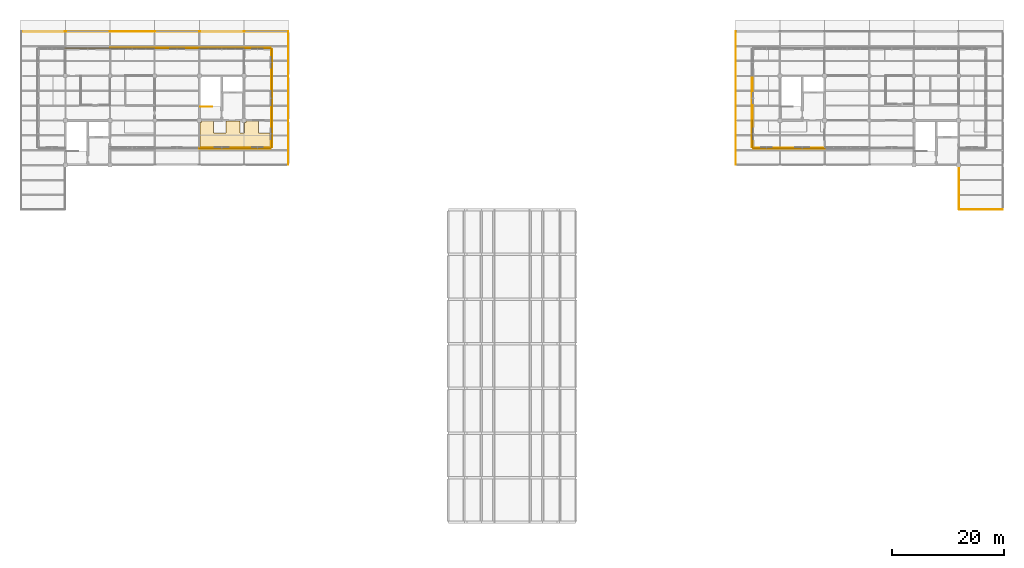
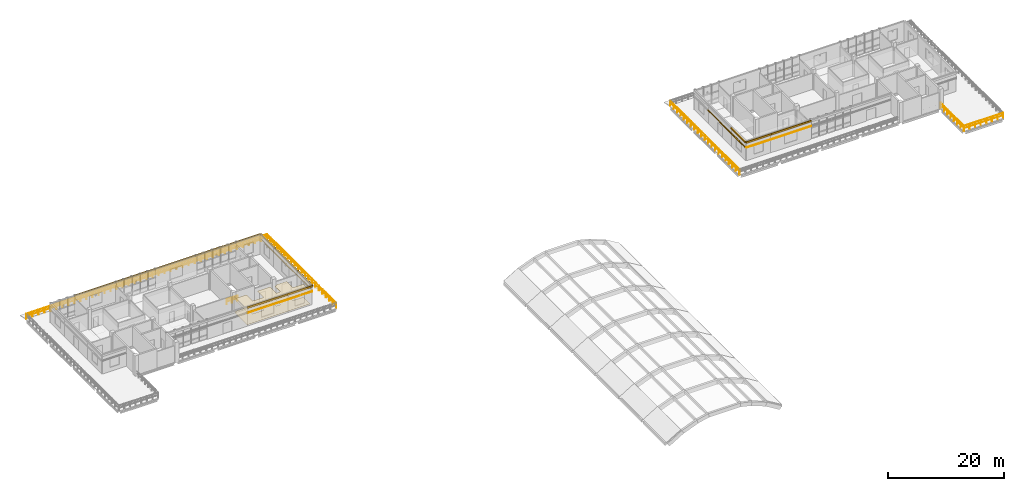
# One storey, part 22 of 24: 15 coverings, 13 shading devices, 6 railings.
"""IFC4 building model written with IfcOpenShell, lengths in metres."""

from ifc_helpers import new_model, si_unit, derived_unit, direction, frame, origin, origin_2d, place, context, subcontext, project, spatial, polyline, rectangle, circle, outline, extrude, material, layer, layer_set, material_profile, profile_set, type_object, element, save


model = new_model("IFC4")

# Units and contexts
model_context = context("Model", 3, precision=1e-05, world=origin(), true_north=direction((0.0, 1.0)))
body_context = subcontext(model_context, "Body", "Model", "MODEL_VIEW")
ifc_project = project(units=[si_unit("LENGTHUNIT", "METRE"), si_unit("AREAUNIT", "SQUARE_METRE"), si_unit("VOLUMEUNIT", "CUBIC_METRE"), si_unit("PLANEANGLEUNIT", "RADIAN"), si_unit("MASSUNIT", "GRAM", prefix="KILO"), derived_unit("THERMALTRANSMITTANCEUNIT", [(si_unit("MASSUNIT", "GRAM", prefix="KILO"), 1), (si_unit("TIMEUNIT", "SECOND"), -3), (si_unit("THERMODYNAMICTEMPERATUREUNIT", "KELVIN"), -1)])], contexts=[model_context])

# Site, building, storey
site_placement = place(None, origin())
site = spatial("IfcSite", under=ifc_project, at=site_placement, CompositionType="ELEMENT")
building_placement = place(site_placement, origin())
building = spatial("IfcBuilding", under=site, at=building_placement, Name="Veyamyaing Civic Hall", CompositionType="ELEMENT")
storey_placement = place(building_placement, frame((0.0, 0.0, 25.739990234375)))
storey = spatial("IfcBuildingStorey", under=building, at=storey_placement, Name="L06", CompositionType="ELEMENT", Elevation=25.739990234375)

# Coverings
ifc_material_1 = material(Name="White powder-coated aluminium 6063-T6", Category="aluminium")
ifc_layer_1 = layer(ifc_material_1, 0.2099609375, Name="White powder-coated aluminium 6063-T6")
ifc_layer_set_1 = layer_set([ifc_layer_1], Name="White powder-coated aluminium 6063-T6")
covering_type_1 = type_object("IfcCoveringType", Name="CL-03", PredefinedType="CLADDING", material=ifc_layer_set_1)
covering_1_placement = place(storey_placement, frame((36.0, 91.0400390625, 3.73974609375), z_axis=(0.0, 0.0, 1.0), x_axis=(1.0, 0.0, 0.0)))
element("IfcCovering", 1, at=covering_1_placement, inside=storey, type_object=covering_type_1, Name="Executive fascia white ribbon CL-03 L06-NW-S-4", PredefinedType="CLADDING", context=body_context, shape_type="SweptSolid", body=[
    extrude(rectangle(XDim=8.179931640625, YDim=0.2099609375, at=origin_2d()), origin(), (0.0, 0.0, 1.0), 0.340087890625),
])
covering_2_placement = place(storey_placement, frame((42.39990234375, 91.0400390625, 3.73974609375), z_axis=(0.0, 0.0, 1.0), x_axis=(1.0, 0.0, 0.0)))
element("IfcCovering", 2, at=covering_2_placement, inside=storey, type_object=covering_type_1, Name="Executive fascia white ribbon CL-03 L06-NW-S-5", PredefinedType="CLADDING", context=body_context, shape_type="SweptSolid", body=[
    extrude(rectangle(XDim=4.97998046875, YDim=0.2099609375, at=origin_2d()), origin(), (0.0, 0.0, 1.0), 0.340087890625),
])
for number, where, z_axis, x_axis, name in (
    (3, (12.0, 108.9599609375, 3.73974609375), (0.0, 0.0, 1.0), (1.0, 0.0, 0.0), "Executive fascia white ribbon CL-03 L06-NW-N-1"),
    (4, (20.0, 108.9599609375, 3.73974609375), (0.0, 0.0, 1.0), (1.0, 0.0, 0.0), "Executive fascia white ribbon CL-03 L06-NW-N-2"),
    (5, (28.0, 108.9599609375, 3.73974609375), (0.0, 0.0, 1.0), (1.0, 0.0, 0.0), "Executive fascia white ribbon CL-03 L06-NW-N-3"),
    (6, (36.0, 108.9599609375, 3.73974609375), (0.0, 0.0, 1.0), (1.0, 0.0, 0.0), "Executive fascia white ribbon CL-03 L06-NW-N-4"),
):
    element("IfcCovering", number, at=place(storey_placement, frame(where, z_axis=z_axis, x_axis=x_axis)), inside=storey, type_object=covering_type_1, Name=name, PredefinedType="CLADDING", context=body_context, shape_type="SweptSolid", body=[
        extrude(rectangle(XDim=8.179931640625, YDim=0.2099609375, at=origin_2d()), origin(), (0.0, 0.0, 1.0), 0.340087890625),
    ])
for number, where, z_axis, x_axis, name in (
    (7, (42.39990234375, 108.9599609375, 3.73974609375), (0.0, 0.0, 1.0), (1.0, 0.0, 0.0), "Executive fascia white ribbon CL-03 L06-NW-N-5"),
    (8, (44.9599609375, 93.60009765625, 3.73974609375), (0.0, 0.0, 1.0), (0.0, 1.0, 0.0), "Executive fascia white ribbon CL-03 L06-NW-E-0"),
):
    element("IfcCovering", number, at=place(storey_placement, frame(where, z_axis=z_axis, x_axis=x_axis)), inside=storey, type_object=covering_type_1, Name=name, PredefinedType="CLADDING", context=body_context, shape_type="SweptSolid", body=[
        extrude(rectangle(XDim=4.97998046875, YDim=0.2099609375, at=origin_2d()), origin(), (0.0, 0.0, 1.0), 0.340087890625),
    ])
covering_3_placement = place(storey_placement, frame((44.9599609375, 100.0, 3.73974609375), z_axis=(0.0, 0.0, 1.0), x_axis=(0.0, 1.0, 0.0)))
element("IfcCovering", 9, at=covering_3_placement, inside=storey, type_object=covering_type_1, Name="Executive fascia white ribbon CL-03 L06-NW-E-1", PredefinedType="CLADDING", context=body_context, shape_type="SweptSolid", body=[
    extrude(rectangle(XDim=8.179931640625, YDim=0.2099609375, at=origin_2d()), origin(), (0.0, 0.0, 1.0), 0.340087890625),
])
for number, where, z_axis, x_axis, name in (
    (10, (44.9599609375, 106.39990234375, 3.73974609375), (0.0, 0.0, 1.0), (0.0, 1.0, 0.0), "Executive fascia white ribbon CL-03 L06-NW-E-2"),
    (11, (133.60009765625, 91.0400390625, 3.73974609375), (0.0, 0.0, 1.0), (1.0, 0.0, 0.0), "Executive fascia white ribbon CL-03 L06-NE-S-0"),
):
    element("IfcCovering", number, at=place(storey_placement, frame(where, z_axis=z_axis, x_axis=x_axis)), inside=storey, type_object=covering_type_1, Name=name, PredefinedType="CLADDING", context=body_context, shape_type="SweptSolid", body=[
        extrude(rectangle(XDim=4.97998046875, YDim=0.2099609375, at=origin_2d()), origin(), (0.0, 0.0, 1.0), 0.340087890625),
    ])
covering_4_placement = place(storey_placement, frame((140.0, 91.0400390625, 3.73974609375), z_axis=(0.0, 0.0, 1.0), x_axis=(1.0, 0.0, 0.0)))
element("IfcCovering", 12, at=covering_4_placement, inside=storey, type_object=covering_type_1, Name="Executive fascia white ribbon CL-03 L06-NE-S-1", PredefinedType="CLADDING", context=body_context, shape_type="SweptSolid", body=[
    extrude(rectangle(XDim=8.179931640625, YDim=0.2099609375, at=origin_2d()), origin(), (0.0, 0.0, 1.0), 0.340087890625),
])
covering_5_placement = place(storey_placement, frame((131.0400390625, 93.60009765625, 3.73974609375), z_axis=(0.0, 0.0, 1.0), x_axis=(0.0, 1.0, 0.0)))
element("IfcCovering", 13, at=covering_5_placement, inside=storey, type_object=covering_type_1, Name="Executive fascia white ribbon CL-03 L06-NE-W-0", PredefinedType="CLADDING", context=body_context, shape_type="SweptSolid", body=[
    extrude(rectangle(XDim=4.97998046875, YDim=0.2099609375, at=origin_2d()), origin(), (0.0, 0.0, 1.0), 0.340087890625),
])
ifc_material_2 = material(Name="Perforated acoustic gypsum ceiling board")
ifc_layer_2 = layer(ifc_material_2, 0.02490234375, Name="Perforated acoustic gypsum ceiling board")
ifc_layer_set_2 = layer_set([ifc_layer_2], Name="Perforated acoustic gypsum ceiling board")
covering_type_2 = type_object("IfcCoveringType", Name="CLG-01", PredefinedType="CEILING", material=ifc_layer_set_2)
covering_6_placement = place(storey_placement, frame((0.0, 0.0, 2.699951171875)))
element("IfcCovering", 14, at=covering_6_placement, inside=storey, type_object=covering_type_2, Name="Acoustic suspended ceiling CLG-01 L06-C02", PredefinedType="CEILING", context=body_context, shape_type="SweptSolid", body=[
    extrude(outline(polyline([(34.574951171875, 95.925048828125), (34.574951171875, 93.8525390625), (34.581298828125, 93.821533203125), (34.597412109375, 93.79736328125), (34.62158203125, 93.78125), (34.652587890625, 93.77490234375), (36.697509765625, 93.77490234375), (36.728515625, 93.78125), (36.752685546875, 93.79736328125), (36.768798828125, 93.821533203125), (36.77490234375, 93.8525390625), (36.77490234375, 95.925048828125), (39.27490234375, 95.925048828125), (39.27490234375, 93.8525390625), (39.28125, 93.821533203125), (39.29736328125, 93.79736328125), (39.321533203125, 93.78125), (39.352294921875, 93.77490234375), (40.006591796875, 93.775390625), (40.029296875, 93.781005859375), (40.041015625, 93.78759765625), (40.057861328125, 93.802490234375), (40.068603515625, 93.82080078125), (40.074951171875, 93.8525390625), (40.074951171875, 95.6650390625), (40.3349609375, 95.6650390625), (40.3349609375, 95.925048828125), (42.574951171875, 95.925048828125), (42.574951171875, 93.8525390625), (42.581298828125, 93.821533203125), (42.597412109375, 93.79736328125), (42.62158203125, 93.78125), (42.652587890625, 93.77490234375), (44.64501953125, 93.77490234375), (44.64501953125, 91.35498046875), (32.074951171875, 91.35498046875), (32.074951171875, 95.6650390625), (32.3349609375, 95.6650390625), (32.3349609375, 95.925048828125), (34.574951171875, 95.925048828125)])), origin(), (0.0, 0.0, 1.0), 0.025146484375),
])
ifc_material_3 = material(Name="Polished Mandalay marble and terrazzo flooring", Category="masonry")
ifc_layer_3 = layer(ifc_material_3, 0.030029296875, Name="Polished Mandalay marble and terrazzo flooring")
ifc_layer_set_3 = layer_set([ifc_layer_3], Name="Polished Mandalay marble and terrazzo flooring")
covering_type_3 = type_object("IfcCoveringType", Name="FLR-01", PredefinedType="FLOORING", material=ifc_layer_set_3)
covering_7_placement = place(storey_placement, origin())
element("IfcCovering", 15, at=covering_7_placement, inside=storey, type_object=covering_type_3, Name="Stone and terrazzo flooring FLR-01 L06-C02", PredefinedType="FLOORING", context=body_context, shape_type="SweptSolid", body=[
    extrude(outline(polyline([(34.550048828125, 95.89990234375), (34.550048828125, 93.85009765625), (34.5576171875, 93.811767578125), (34.579345703125, 93.779296875), (34.61181640625, 93.757568359375), (34.64990234375, 93.75), (36.699951171875, 93.75), (36.73828125, 93.757568359375), (36.770751953125, 93.779296875), (36.79248046875, 93.811767578125), (36.800048828125, 93.85009765625), (36.800048828125, 95.89990234375), (39.25, 95.89990234375), (39.25, 93.85009765625), (39.257568359375, 93.811767578125), (39.279296875, 93.779296875), (39.311767578125, 93.757568359375), (39.35009765625, 93.75), (40.009765625, 93.75048828125), (40.038330078125, 93.757568359375), (40.0556640625, 93.766845703125), (40.077392578125, 93.78662109375), (40.09228515625, 93.811767578125), (40.10009765625, 93.85009765625), (40.10009765625, 95.639892578125), (40.360107421875, 95.639892578125), (40.360107421875, 95.89990234375), (42.550048828125, 95.89990234375), (42.550048828125, 93.85009765625), (42.5576171875, 93.811767578125), (42.579345703125, 93.779296875), (42.61181640625, 93.757568359375), (42.64990234375, 93.75), (44.6201171875, 93.75), (44.6201171875, 91.3798828125), (32.10009765625, 91.3798828125), (32.10009765625, 95.639892578125), (32.360107421875, 95.639892578125), (32.360107421875, 95.89990234375), (34.550048828125, 95.89990234375)])), origin(), (0.0, 0.0, 1.0), 0.030029296875),
])

# Railings
ifc_material_4 = material(Name="Steel S355J2", Category="steel")
railing_type = type_object("IfcRailingType", Name="RL-01", PredefinedType="BALUSTRADE", material=ifc_material_4)
railing_1_placement = place(storey_placement, frame((0.080078125, 111.919921875, 0.0)))
element("IfcRailing", 16, at=railing_1_placement, inside=storey, type_object=railing_type, Name="Setback terrace balustrade RL-01 L06.1.1", PredefinedType="BALUSTRADE", context=body_context, shape_type="SweptSolid", body=[
    extrude(circle(Radius=0.02392578125, at=origin_2d()), frame((0.0, 0.0, 1.076171875), z_axis=(1.0, 0.0, 0.0), x_axis=(0.0, 1.0, 0.0)), (0.0, 0.0, 1.0), 47.83984375),
    extrude(circle(Radius=0.01416015625, at=origin_2d()), frame((0.0, 0.0, 0.572021484375), z_axis=(1.0, 0.0, 0.0), x_axis=(0.0, 1.0, 0.0)), (0.0, 0.0, 1.0), 47.83984375),
    extrude(circle(Radius=0.02099609375, at=origin_2d()), origin(), (0.0, 0.0, 1.0), 1.052001953125),
    extrude(circle(Radius=0.02099609375, at=origin_2d()), frame((1.196044921875, 0.0, 0.0)), (0.0, 0.0, 1.0), 1.052001953125),
    extrude(circle(Radius=0.02099609375, at=origin_2d()), frame((2.39208984375, 0.0, 0.0)), (0.0, 0.0, 1.0), 1.052001953125),
    extrude(circle(Radius=0.02099609375, at=origin_2d()), frame((3.587890625, 0.0, 0.0)), (0.0, 0.0, 1.0), 1.052001953125),
    extrude(circle(Radius=0.02099609375, at=origin_2d()), frame((4.783935546875, 0.0, 0.0)), (0.0, 0.0, 1.0), 1.052001953125),
    extrude(circle(Radius=0.02099609375, at=origin_2d()), frame((5.97998046875, 0.0, 0.0)), (0.0, 0.0, 1.0), 1.052001953125),
    extrude(circle(Radius=0.02099609375, at=origin_2d()), frame((7.176025390625, 0.0, 0.0)), (0.0, 0.0, 1.0), 1.052001953125),
    extrude(circle(Radius=0.02099609375, at=origin_2d()), frame((8.3720703125, 0.0, 0.0)), (0.0, 0.0, 1.0), 1.052001953125),
    extrude(circle(Radius=0.02099609375, at=origin_2d()), frame((9.56787109375, 0.0, 0.0)), (0.0, 0.0, 1.0), 1.052001953125),
    extrude(circle(Radius=0.02099609375, at=origin_2d()), frame((10.763916015625, 0.0, 0.0)), (0.0, 0.0, 1.0), 1.052001953125),
    extrude(circle(Radius=0.02099609375, at=origin_2d()), frame((11.9599609375, 0.0, 0.0)), (0.0, 0.0, 1.0), 1.052001953125),
    extrude(circle(Radius=0.02099609375, at=origin_2d()), frame((13.156005859375, 0.0, 0.0)), (0.0, 0.0, 1.0), 1.052001953125),
    extrude(circle(Radius=0.02099609375, at=origin_2d()), frame((14.35205078125, 0.0, 0.0)), (0.0, 0.0, 1.0), 1.052001953125),
    extrude(circle(Radius=0.02099609375, at=origin_2d()), frame((15.5478515625, 0.0, 0.0)), (0.0, 0.0, 1.0), 1.052001953125),
    extrude(circle(Radius=0.02099609375, at=origin_2d()), frame((16.743896484375, 0.0, 0.0)), (0.0, 0.0, 1.0), 1.052001953125),
    extrude(circle(Radius=0.02099609375, at=origin_2d()), frame((17.93994140625, 0.0, 0.0)), (0.0, 0.0, 1.0), 1.052001953125),
    extrude(circle(Radius=0.02099609375, at=origin_2d()), frame((19.135986328125, 0.0, 0.0)), (0.0, 0.0, 1.0), 1.052001953125),
    extrude(circle(Radius=0.02099609375, at=origin_2d()), frame((20.33203125, 0.0, 0.0)), (0.0, 0.0, 1.0), 1.052001953125),
    extrude(circle(Radius=0.02099609375, at=origin_2d()), frame((21.52783203125, 0.0, 0.0)), (0.0, 0.0, 1.0), 1.052001953125),
    extrude(circle(Radius=0.02099609375, at=origin_2d()), frame((22.723876953125, 0.0, 0.0)), (0.0, 0.0, 1.0), 1.052001953125),
    extrude(circle(Radius=0.02099609375, at=origin_2d()), frame((23.919921875, 0.0, 0.0)), (0.0, 0.0, 1.0), 1.052001953125),
    extrude(circle(Radius=0.02099609375, at=origin_2d()), frame((25.115966796875, 0.0, 0.0)), (0.0, 0.0, 1.0), 1.052001953125),
    extrude(circle(Radius=0.02099609375, at=origin_2d()), frame((26.31201171875, 0.0, 0.0)), (0.0, 0.0, 1.0), 1.052001953125),
    extrude(circle(Radius=0.02099609375, at=origin_2d()), frame((27.5078125, 0.0, 0.0)), (0.0, 0.0, 1.0), 1.052001953125),
    extrude(circle(Radius=0.02099609375, at=origin_2d()), frame((28.703857421875, 0.0, 0.0)), (0.0, 0.0, 1.0), 1.052001953125),
    extrude(circle(Radius=0.02099609375, at=origin_2d()), frame((29.89990234375, 0.0, 0.0)), (0.0, 0.0, 1.0), 1.052001953125),
    extrude(circle(Radius=0.02099609375, at=origin_2d()), frame((31.095947265625, 0.0, 0.0)), (0.0, 0.0, 1.0), 1.052001953125),
    extrude(circle(Radius=0.02099609375, at=origin_2d()), frame((32.2919921875, 0.0, 0.0)), (0.0, 0.0, 1.0), 1.052001953125),
    extrude(circle(Radius=0.02099609375, at=origin_2d()), frame((33.48779296875, 0.0, 0.0)), (0.0, 0.0, 1.0), 1.052001953125),
    extrude(circle(Radius=0.02099609375, at=origin_2d()), frame((34.683837890625, 0.0, 0.0)), (0.0, 0.0, 1.0), 1.052001953125),
    extrude(circle(Radius=0.02099609375, at=origin_2d()), frame((35.8798828125, 0.0, 0.0)), (0.0, 0.0, 1.0), 1.052001953125),
    extrude(circle(Radius=0.02099609375, at=origin_2d()), frame((37.075927734375, 0.0, 0.0)), (0.0, 0.0, 1.0), 1.052001953125),
    extrude(circle(Radius=0.02099609375, at=origin_2d()), frame((38.27197265625, 0.0, 0.0)), (0.0, 0.0, 1.0), 1.052001953125),
    extrude(circle(Radius=0.02099609375, at=origin_2d()), frame((39.4677734375, 0.0, 0.0)), (0.0, 0.0, 1.0), 1.052001953125),
    extrude(circle(Radius=0.02099609375, at=origin_2d()), frame((40.663818359375, 0.0, 0.0)), (0.0, 0.0, 1.0), 1.052001953125),
    extrude(circle(Radius=0.02099609375, at=origin_2d()), frame((41.85986328125, 0.0, 0.0)), (0.0, 0.0, 1.0), 1.052001953125),
    extrude(circle(Radius=0.02099609375, at=origin_2d()), frame((43.055908203125, 0.0, 0.0)), (0.0, 0.0, 1.0), 1.052001953125),
    extrude(circle(Radius=0.02099609375, at=origin_2d()), frame((44.251953125, 0.0, 0.0)), (0.0, 0.0, 1.0), 1.052001953125),
    extrude(circle(Radius=0.02099609375, at=origin_2d()), frame((45.44775390625, 0.0, 0.0)), (0.0, 0.0, 1.0), 1.052001953125),
    extrude(circle(Radius=0.02099609375, at=origin_2d()), frame((46.643798828125, 0.0, 0.0)), (0.0, 0.0, 1.0), 1.052001953125),
    extrude(circle(Radius=0.02099609375, at=origin_2d()), frame((47.83984375, 0.0, 0.0)), (0.0, 0.0, 1.0), 1.052001953125),
])
railing_2_placement = place(storey_placement, frame((47.919921875, 111.919921875, 0.0)))
element("IfcRailing", 17, at=railing_2_placement, inside=storey, type_object=railing_type, Name="Setback terrace balustrade RL-01 L06.1.2", PredefinedType="BALUSTRADE", context=body_context, shape_type="SweptSolid", body=[
    extrude(circle(Radius=0.02392578125, at=origin_2d()), frame((0.0, 0.0, 1.076171875), z_axis=(0.0, -1.0, 0.0), x_axis=(1.0, 0.0, 0.0)), (0.0, 0.0, 1.0), 23.83984375),
    extrude(circle(Radius=0.01416015625, at=origin_2d()), frame((0.0, 0.0, 0.572021484375), z_axis=(0.0, -1.0, 0.0), x_axis=(1.0, 0.0, 0.0)), (0.0, 0.0, 1.0), 23.83984375),
    extrude(circle(Radius=0.02099609375, at=origin_2d()), origin(), (0.0, 0.0, 1.0), 1.052001953125),
    extrude(circle(Radius=0.02099609375, at=origin_2d()), frame((0.0, -1.19189453125, 0.0)), (0.0, 0.0, 1.0), 1.052001953125),
    extrude(circle(Radius=0.02099609375, at=origin_2d()), frame((0.0, -2.384033203125, 0.0)), (0.0, 0.0, 1.0), 1.052001953125),
    extrude(circle(Radius=0.02099609375, at=origin_2d()), frame((0.0, -3.575927734375, 0.0)), (0.0, 0.0, 1.0), 1.052001953125),
    extrude(circle(Radius=0.02099609375, at=origin_2d()), frame((0.0, -4.76806640625, 0.0)), (0.0, 0.0, 1.0), 1.052001953125),
    extrude(circle(Radius=0.02099609375, at=origin_2d()), frame((0.0, -5.9599609375, 0.0)), (0.0, 0.0, 1.0), 1.052001953125),
    extrude(circle(Radius=0.02099609375, at=origin_2d()), frame((0.0, -7.15185546875, 0.0)), (0.0, 0.0, 1.0), 1.052001953125),
    extrude(circle(Radius=0.02099609375, at=origin_2d()), frame((0.0, -8.343994140625, 0.0)), (0.0, 0.0, 1.0), 1.052001953125),
    extrude(circle(Radius=0.02099609375, at=origin_2d()), frame((0.0, -9.535888671875, 0.0)), (0.0, 0.0, 1.0), 1.052001953125),
    extrude(circle(Radius=0.02099609375, at=origin_2d()), frame((0.0, -10.72802734375, 0.0)), (0.0, 0.0, 1.0), 1.052001953125),
    extrude(circle(Radius=0.02099609375, at=origin_2d()), frame((0.0, -11.919921875, 0.0)), (0.0, 0.0, 1.0), 1.052001953125),
    extrude(circle(Radius=0.02099609375, at=origin_2d()), frame((0.0, -13.11181640625, 0.0)), (0.0, 0.0, 1.0), 1.052001953125),
    extrude(circle(Radius=0.02099609375, at=origin_2d()), frame((0.0, -14.303955078125, 0.0)), (0.0, 0.0, 1.0), 1.052001953125),
    extrude(circle(Radius=0.02099609375, at=origin_2d()), frame((0.0, -15.495849609375, 0.0)), (0.0, 0.0, 1.0), 1.052001953125),
    extrude(circle(Radius=0.02099609375, at=origin_2d()), frame((0.0, -16.68798828125, 0.0)), (0.0, 0.0, 1.0), 1.052001953125),
    extrude(circle(Radius=0.02099609375, at=origin_2d()), frame((0.0, -17.8798828125, 0.0)), (0.0, 0.0, 1.0), 1.052001953125),
    extrude(circle(Radius=0.02099609375, at=origin_2d()), frame((0.0, -19.07177734375, 0.0)), (0.0, 0.0, 1.0), 1.052001953125),
    extrude(circle(Radius=0.02099609375, at=origin_2d()), frame((0.0, -20.263916015625, 0.0)), (0.0, 0.0, 1.0), 1.052001953125),
    extrude(circle(Radius=0.02099609375, at=origin_2d()), frame((0.0, -21.455810546875, 0.0)), (0.0, 0.0, 1.0), 1.052001953125),
    extrude(circle(Radius=0.02099609375, at=origin_2d()), frame((0.0, -22.64794921875, 0.0)), (0.0, 0.0, 1.0), 1.052001953125),
    extrude(circle(Radius=0.02099609375, at=origin_2d()), frame((0.0, -23.83984375, 0.0)), (0.0, 0.0, 1.0), 1.052001953125),
])
railing_3_placement = place(storey_placement, frame((128.080078125, 88.080078125, 0.0)))
element("IfcRailing", 18, at=railing_3_placement, inside=storey, type_object=railing_type, Name="Setback terrace balustrade RL-01 L06.2.1", PredefinedType="BALUSTRADE", context=body_context, shape_type="SweptSolid", body=[
    extrude(circle(Radius=0.02392578125, at=origin_2d()), frame((0.0, 0.0, 1.076171875), z_axis=(0.0, 1.0, 0.0), x_axis=(-1.0, 0.0, 0.0)), (0.0, 0.0, 1.0), 23.83984375),
    extrude(circle(Radius=0.01416015625, at=origin_2d()), frame((0.0, 0.0, 0.572021484375), z_axis=(0.0, 1.0, 0.0), x_axis=(-1.0, 0.0, 0.0)), (0.0, 0.0, 1.0), 23.83984375),
    extrude(circle(Radius=0.02099609375, at=origin_2d()), origin(), (0.0, 0.0, 1.0), 1.052001953125),
    extrude(circle(Radius=0.02099609375, at=origin_2d()), frame((0.0, 1.19189453125, 0.0)), (0.0, 0.0, 1.0), 1.052001953125),
    extrude(circle(Radius=0.02099609375, at=origin_2d()), frame((0.0, 2.384033203125, 0.0)), (0.0, 0.0, 1.0), 1.052001953125),
    extrude(circle(Radius=0.02099609375, at=origin_2d()), frame((0.0, 3.575927734375, 0.0)), (0.0, 0.0, 1.0), 1.052001953125),
    extrude(circle(Radius=0.02099609375, at=origin_2d()), frame((0.0, 4.76806640625, 0.0)), (0.0, 0.0, 1.0), 1.052001953125),
    extrude(circle(Radius=0.02099609375, at=origin_2d()), frame((0.0, 5.9599609375, 0.0)), (0.0, 0.0, 1.0), 1.052001953125),
    extrude(circle(Radius=0.02099609375, at=origin_2d()), frame((0.0, 7.15185546875, 0.0)), (0.0, 0.0, 1.0), 1.052001953125),
    extrude(circle(Radius=0.02099609375, at=origin_2d()), frame((0.0, 8.343994140625, 0.0)), (0.0, 0.0, 1.0), 1.052001953125),
    extrude(circle(Radius=0.02099609375, at=origin_2d()), frame((0.0, 9.535888671875, 0.0)), (0.0, 0.0, 1.0), 1.052001953125),
    extrude(circle(Radius=0.02099609375, at=origin_2d()), frame((0.0, 10.72802734375, 0.0)), (0.0, 0.0, 1.0), 1.052001953125),
    extrude(circle(Radius=0.02099609375, at=origin_2d()), frame((0.0, 11.919921875, 0.0)), (0.0, 0.0, 1.0), 1.052001953125),
    extrude(circle(Radius=0.02099609375, at=origin_2d()), frame((0.0, 13.11181640625, 0.0)), (0.0, 0.0, 1.0), 1.052001953125),
    extrude(circle(Radius=0.02099609375, at=origin_2d()), frame((0.0, 14.303955078125, 0.0)), (0.0, 0.0, 1.0), 1.052001953125),
    extrude(circle(Radius=0.02099609375, at=origin_2d()), frame((0.0, 15.495849609375, 0.0)), (0.0, 0.0, 1.0), 1.052001953125),
    extrude(circle(Radius=0.02099609375, at=origin_2d()), frame((0.0, 16.68798828125, 0.0)), (0.0, 0.0, 1.0), 1.052001953125),
    extrude(circle(Radius=0.02099609375, at=origin_2d()), frame((0.0, 17.8798828125, 0.0)), (0.0, 0.0, 1.0), 1.052001953125),
    extrude(circle(Radius=0.02099609375, at=origin_2d()), frame((0.0, 19.07177734375, 0.0)), (0.0, 0.0, 1.0), 1.052001953125),
    extrude(circle(Radius=0.02099609375, at=origin_2d()), frame((0.0, 20.263916015625, 0.0)), (0.0, 0.0, 1.0), 1.052001953125),
    extrude(circle(Radius=0.02099609375, at=origin_2d()), frame((0.0, 21.455810546875, 0.0)), (0.0, 0.0, 1.0), 1.052001953125),
    extrude(circle(Radius=0.02099609375, at=origin_2d()), frame((0.0, 22.64794921875, 0.0)), (0.0, 0.0, 1.0), 1.052001953125),
    extrude(circle(Radius=0.02099609375, at=origin_2d()), frame((0.0, 23.83984375, 0.0)), (0.0, 0.0, 1.0), 1.052001953125),
])
railing_4_placement = place(storey_placement, frame((175.919921875, 80.080078125, 0.0)))
element("IfcRailing", 19, at=railing_4_placement, inside=storey, type_object=railing_type, Name="Setback terrace balustrade RL-01 L06.2.4", PredefinedType="BALUSTRADE", context=body_context, shape_type="SweptSolid", body=[
    extrude(circle(Radius=0.02392578125, at=origin_2d()), frame((0.0, 0.0, 1.076171875), z_axis=(-1.0, 0.0, 0.0), x_axis=(0.0, -1.0, 0.0)), (0.0, 0.0, 1.0), 7.83984375),
    extrude(circle(Radius=0.01416015625, at=origin_2d()), frame((0.0, 0.0, 0.572021484375), z_axis=(-1.0, 0.0, 0.0), x_axis=(0.0, -1.0, 0.0)), (0.0, 0.0, 1.0), 7.83984375),
    extrude(circle(Radius=0.02099609375, at=origin_2d()), origin(), (0.0, 0.0, 1.0), 1.052001953125),
    extrude(circle(Radius=0.02099609375, at=origin_2d()), frame((-1.119873046875, 0.0, 0.0)), (0.0, 0.0, 1.0), 1.052001953125),
    extrude(circle(Radius=0.02099609375, at=origin_2d()), frame((-2.239990234375, 0.0, 0.0)), (0.0, 0.0, 1.0), 1.052001953125),
    extrude(circle(Radius=0.02099609375, at=origin_2d()), frame((-3.35986328125, 0.0, 0.0)), (0.0, 0.0, 1.0), 1.052001953125),
    extrude(circle(Radius=0.02099609375, at=origin_2d()), frame((-4.47998046875, 0.0, 0.0)), (0.0, 0.0, 1.0), 1.052001953125),
    extrude(circle(Radius=0.02099609375, at=origin_2d()), frame((-5.599853515625, 0.0, 0.0)), (0.0, 0.0, 1.0), 1.052001953125),
    extrude(circle(Radius=0.02099609375, at=origin_2d()), frame((-6.719970703125, 0.0, 0.0)), (0.0, 0.0, 1.0), 1.052001953125),
    extrude(circle(Radius=0.02099609375, at=origin_2d()), frame((-7.83984375, 0.0, 0.0)), (0.0, 0.0, 1.0), 1.052001953125),
])
railing_5_placement = place(storey_placement, frame((168.080078125, 80.080078125, 0.0)))
element("IfcRailing", 20, at=railing_5_placement, inside=storey, type_object=railing_type, Name="Setback terrace balustrade RL-01 L06.2.5", PredefinedType="BALUSTRADE", context=body_context, shape_type="SweptSolid", body=[
    extrude(circle(Radius=0.02392578125, at=origin_2d()), frame((0.0, 0.0, 1.076171875), z_axis=(0.0, 1.0, 0.0), x_axis=(-1.0, 0.0, 0.0)), (0.0, 0.0, 1.0), 7.919921875),
    extrude(circle(Radius=0.01416015625, at=origin_2d()), frame((0.0, 0.0, 0.572021484375), z_axis=(0.0, 1.0, 0.0), x_axis=(-1.0, 0.0, 0.0)), (0.0, 0.0, 1.0), 7.919921875),
    extrude(circle(Radius=0.02099609375, at=origin_2d()), origin(), (0.0, 0.0, 1.0), 1.052001953125),
    extrude(circle(Radius=0.02099609375, at=origin_2d()), frame((0.0, 1.13134765625, 0.0)), (0.0, 0.0, 1.0), 1.052001953125),
    extrude(circle(Radius=0.02099609375, at=origin_2d()), frame((0.0, 2.262939453125, 0.0)), (0.0, 0.0, 1.0), 1.052001953125),
    extrude(circle(Radius=0.02099609375, at=origin_2d()), frame((0.0, 3.394287109375, 0.0)), (0.0, 0.0, 1.0), 1.052001953125),
    extrude(circle(Radius=0.02099609375, at=origin_2d()), frame((0.0, 4.525634765625, 0.0)), (0.0, 0.0, 1.0), 1.052001953125),
    extrude(circle(Radius=0.02099609375, at=origin_2d()), frame((0.0, 5.656982421875, 0.0)), (0.0, 0.0, 1.0), 1.052001953125),
    extrude(circle(Radius=0.02099609375, at=origin_2d()), frame((0.0, 6.78857421875, 0.0)), (0.0, 0.0, 1.0), 1.052001953125),
    extrude(circle(Radius=0.02099609375, at=origin_2d()), frame((0.0, 7.919921875, 0.0)), (0.0, 0.0, 1.0), 1.052001953125),
])
railing_6_placement = place(storey_placement, frame((32.159912109375, 98.47998046875, 0.0)))
element("IfcRailing", 21, at=railing_6_placement, inside=storey, type_object=railing_type, Name="Top-landing stair well guard RL-01 ST-02 L06", PredefinedType="BALUSTRADE", context=body_context, shape_type="SweptSolid", body=[
    extrude(circle(Radius=0.02392578125, at=origin_2d()), frame((0.0, 0.0, 1.076171875), z_axis=(1.0, 0.0, 0.0), x_axis=(0.0, 1.0, 0.0)), (0.0, 0.0, 1.0), 2.10009765625),
    extrude(circle(Radius=0.01416015625, at=origin_2d()), frame((0.0, 0.0, 0.572021484375), z_axis=(1.0, 0.0, 0.0), x_axis=(0.0, 1.0, 0.0)), (0.0, 0.0, 1.0), 2.10009765625),
    extrude(circle(Radius=0.02099609375, at=origin_2d()), origin(), (0.0, 0.0, 1.0), 1.052001953125),
    extrude(circle(Radius=0.02099609375, at=origin_2d()), frame((1.050048828125, 0.0, 0.0)), (0.0, 0.0, 1.0), 1.052001953125),
    extrude(circle(Radius=0.02099609375, at=origin_2d()), frame((2.10009765625, 0.0, 0.0)), (0.0, 0.0, 1.0), 1.052001953125),
])

# Shading devices
ifc_material_profile = material_profile(ifc_material_1, circle(Radius=0.074951171875, at=origin_2d()), Name="SHADE-TUBE-150")
ifc_profile_set = profile_set([ifc_material_profile], Name="White powder-coated aluminium 6063-T6")
shading_device_type = type_object("IfcShadingDeviceType", Name="SH-03", PredefinedType="USERDEFINED", material=ifc_profile_set)
shading_device_1_placement = place(storey_placement, frame((32.0, 91.010009765625, 2.85009765625), z_axis=(1.0, 0.0, 0.0), x_axis=(0.0, 1.0, 0.0)))
element("IfcShadingDevice", 22, at=shading_device_1_placement, inside=storey, type_object=shading_device_type, Name="Executive sunshade ribbon SH-03 L06-NW-S-4", ObjectType="SUNSHADE", PredefinedType="USERDEFINED", context=body_context, shape_type="SweptSolid", body=[
    extrude(circle(Radius=0.074951171875, at=origin_2d()), origin(), (0.0, 0.0, 1.0), 8.0),
])
shading_device_2_placement = place(storey_placement, frame((40.0, 91.010009765625, 2.85009765625), z_axis=(1.0, 0.0, 0.0), x_axis=(0.0, 1.0, 0.0)))
element("IfcShadingDevice", 23, at=shading_device_2_placement, inside=storey, type_object=shading_device_type, Name="Executive sunshade ribbon SH-03 L06-NW-S-5", ObjectType="SUNSHADE", PredefinedType="USERDEFINED", context=body_context, shape_type="SweptSolid", body=[
    extrude(circle(Radius=0.074951171875, at=origin_2d()), origin(), (0.0, 0.0, 1.0), 4.800048828125),
])
for number, where, z_axis, x_axis, name in (
    (24, (16.0, 108.989990234375, 2.85009765625), (1.0, 0.0, 0.0), (0.0, 1.0, 0.0), "Executive sunshade ribbon SH-03 L06-NW-N-2"),
    (25, (24.0, 108.989990234375, 2.85009765625), (1.0, 0.0, 0.0), (0.0, 1.0, 0.0), "Executive sunshade ribbon SH-03 L06-NW-N-3"),
    (26, (32.0, 108.989990234375, 2.85009765625), (1.0, 0.0, 0.0), (0.0, 1.0, 0.0), "Executive sunshade ribbon SH-03 L06-NW-N-4"),
):
    element("IfcShadingDevice", number, at=place(storey_placement, frame(where, z_axis=z_axis, x_axis=x_axis)), inside=storey, type_object=shading_device_type, Name=name, ObjectType="SUNSHADE", PredefinedType="USERDEFINED", context=body_context, shape_type="SweptSolid", body=[
        extrude(circle(Radius=0.074951171875, at=origin_2d()), origin(), (0.0, 0.0, 1.0), 8.0),
    ])
for number, where, z_axis, x_axis, name in (
    (27, (40.0, 108.989990234375, 2.85009765625), (1.0, 0.0, 0.0), (0.0, 1.0, 0.0), "Executive sunshade ribbon SH-03 L06-NW-N-5"),
    (28, (44.989990234375, 91.199951171875, 2.85009765625), (0.0, 1.0, 0.0), (-1.0, 0.0, 0.0), "Executive sunshade ribbon SH-03 L06-NW-E-0"),
):
    element("IfcShadingDevice", number, at=place(storey_placement, frame(where, z_axis=z_axis, x_axis=x_axis)), inside=storey, type_object=shading_device_type, Name=name, ObjectType="SUNSHADE", PredefinedType="USERDEFINED", context=body_context, shape_type="SweptSolid", body=[
        extrude(circle(Radius=0.074951171875, at=origin_2d()), origin(), (0.0, 0.0, 1.0), 4.800048828125),
    ])
shading_device_3_placement = place(storey_placement, frame((44.989990234375, 96.0, 2.85009765625), z_axis=(0.0, 1.0, 0.0), x_axis=(-1.0, 0.0, 0.0)))
element("IfcShadingDevice", 29, at=shading_device_3_placement, inside=storey, type_object=shading_device_type, Name="Executive sunshade ribbon SH-03 L06-NW-E-1", ObjectType="SUNSHADE", PredefinedType="USERDEFINED", context=body_context, shape_type="SweptSolid", body=[
    extrude(circle(Radius=0.074951171875, at=origin_2d()), origin(), (0.0, 0.0, 1.0), 8.0),
])
for number, where, z_axis, x_axis, name in (
    (30, (44.989990234375, 104.0, 2.85009765625), (0.0, 1.0, 0.0), (-1.0, 0.0, 0.0), "Executive sunshade ribbon SH-03 L06-NW-E-2"),
    (31, (131.199951171875, 91.010009765625, 2.85009765625), (1.0, 0.0, 0.0), (0.0, 1.0, 0.0), "Executive sunshade ribbon SH-03 L06-NE-S-0"),
):
    element("IfcShadingDevice", number, at=place(storey_placement, frame(where, z_axis=z_axis, x_axis=x_axis)), inside=storey, type_object=shading_device_type, Name=name, ObjectType="SUNSHADE", PredefinedType="USERDEFINED", context=body_context, shape_type="SweptSolid", body=[
        extrude(circle(Radius=0.074951171875, at=origin_2d()), origin(), (0.0, 0.0, 1.0), 4.800048828125),
    ])
shading_device_4_placement = place(storey_placement, frame((136.0, 91.010009765625, 2.85009765625), z_axis=(1.0, 0.0, 0.0), x_axis=(0.0, 1.0, 0.0)))
element("IfcShadingDevice", 32, at=shading_device_4_placement, inside=storey, type_object=shading_device_type, Name="Executive sunshade ribbon SH-03 L06-NE-S-1", ObjectType="SUNSHADE", PredefinedType="USERDEFINED", context=body_context, shape_type="SweptSolid", body=[
    extrude(circle(Radius=0.074951171875, at=origin_2d()), origin(), (0.0, 0.0, 1.0), 8.0),
])
shading_device_5_placement = place(storey_placement, frame((131.010009765625, 91.199951171875, 2.85009765625), z_axis=(0.0, 1.0, 0.0), x_axis=(-1.0, 0.0, 0.0)))
element("IfcShadingDevice", 33, at=shading_device_5_placement, inside=storey, type_object=shading_device_type, Name="Executive sunshade ribbon SH-03 L06-NE-W-0", ObjectType="SUNSHADE", PredefinedType="USERDEFINED", context=body_context, shape_type="SweptSolid", body=[
    extrude(circle(Radius=0.074951171875, at=origin_2d()), origin(), (0.0, 0.0, 1.0), 4.800048828125),
])
shading_device_6_placement = place(storey_placement, frame((131.010009765625, 96.0, 2.85009765625), z_axis=(0.0, 1.0, 0.0), x_axis=(-1.0, 0.0, 0.0)))
element("IfcShadingDevice", 34, at=shading_device_6_placement, inside=storey, type_object=shading_device_type, Name="Executive sunshade ribbon SH-03 L06-NE-W-1", ObjectType="SUNSHADE", PredefinedType="USERDEFINED", context=body_context, shape_type="SweptSolid", body=[
    extrude(circle(Radius=0.074951171875, at=origin_2d()), origin(), (0.0, 0.0, 1.0), 8.0),
])

save(model, "model.ifc")
